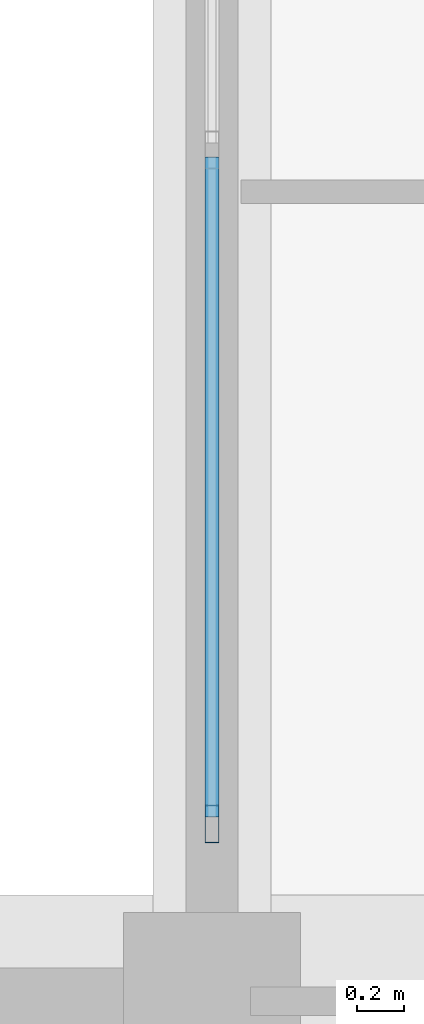
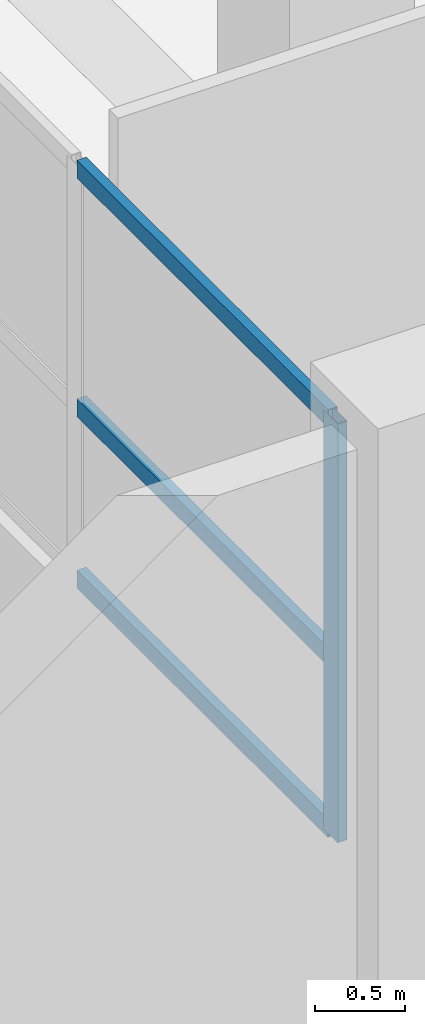
# One storey, part 8 of 140: 4 members, 1 element without a shape of its own.
"""IFC4 building model written with IfcOpenShell, lengths in metres."""

import ifcopenshell
import ifcopenshell.guid

model = None  # the IFC model being written
_history = None  # IfcOwnerHistory: only IFC2X3 demands one
_inside = {}  # id of a spatial element -> (the spatial element, [elements in it])
_under = {}  # id of a project, library or spatial element -> (it, [spatial elements below it])
_declared = {}  # id of a project -> (the project, [libraries it declares])
_typed = {}  # id of a type object -> (the type object, [elements of that type])
_made_of = {}  # id of a material, layer set ... -> (it, [elements and type objects made of it])


def new_model(schema):
    """Start an empty IFC model of exactly this schema.

    Asked for "IFC4X3", IfcOpenShell would pick the latest addendum, in which some entities
    have other attributes; the version numbers below select the first issue.
    IFC2X3 requires an IfcOwnerHistory on every rooted entity: one is made here for all.
    """
    global model, _history
    if schema == "IFC4X3":
        model = ifcopenshell.file(schema_version=(4, 3, 0, 0))
    else:
        model = ifcopenshell.file(schema=schema)
    _inside.clear()
    _under.clear()
    _declared.clear()
    _typed.clear()
    _made_of.clear()
    _history = None
    if model.schema == "IFC2X3":
        org = make("IfcOrganization", Name="unknown")
        user = make(
            "IfcPersonAndOrganization",
            ThePerson=make("IfcPerson", FamilyName="unknown"),
            TheOrganization=org,
        )
        app = make(
            "IfcApplication",
            ApplicationDeveloper=org,
            Version="unknown",
            ApplicationFullName="unknown",
            ApplicationIdentifier="unknown",
        )
        _history = make(
            "IfcOwnerHistory",
            OwningUser=user,
            OwningApplication=app,
            ChangeAction="ADDED",
            CreationDate=0,
        )
    return model


def make(cls, **values):
    """One entity of the class cls with the attributes given. An attribute that is None is left unset."""
    return model.create_entity(
        cls, **{name: value for name, value in values.items() if value is not None}
    )


def rooted(cls, **values):
    """An entity with a GlobalId (a new one), such as an element, a storey or a relation."""
    return make(cls, GlobalId=ifcopenshell.guid.new(), OwnerHistory=_history, **values)


def si_unit(unit_type, name, prefix=None):
    """IfcSIUnit, for example si_unit("LENGTHUNIT", "METRE", prefix="MILLI")."""
    return make("IfcSIUnit", UnitType=unit_type, Prefix=prefix, Name=name)


def assignment(units):
    """IfcUnitAssignment: the units of a project."""
    return None if units is None else make("IfcUnitAssignment", Units=units)


def point(xyz):
    """IfcCartesianPoint."""
    return None if xyz is None else make("IfcCartesianPoint", Coordinates=xyz)


def direction(xyz):
    """IfcDirection."""
    return None if xyz is None else make("IfcDirection", DirectionRatios=xyz)


def frame(location, z_axis=None, x_axis=None):
    """IfcAxis2Placement3D, a coordinate frame: its origin and axes. An axis left out is left unset."""
    return make(
        "IfcAxis2Placement3D",
        Location=point(location),
        Axis=direction(z_axis),
        RefDirection=direction(x_axis),
    )


def frame_2d(location, x_axis=None):
    """IfcAxis2Placement2D, a coordinate frame in the plane: its origin and x axis."""
    return make(
        "IfcAxis2Placement2D", Location=point(location), RefDirection=direction(x_axis)
    )


def origin():
    """The frame at (0, 0, 0) with its axes left unset."""
    return frame((0.0, 0.0, 0.0))


def origin_2d():
    """The frame at (0, 0) in the plane with its x axis left unset."""
    return frame_2d((0.0, 0.0))


def place(relative_to, where):
    """IfcLocalPlacement: puts the frame where relative to a parent placement (None: the world)."""
    return make(
        "IfcLocalPlacement", PlacementRelTo=relative_to, RelativePlacement=where
    )


def context(
    kind, dimensions, precision=None, world=None, true_north=None, identifier=None
):
    """IfcGeometricRepresentationContext, for example the 3D "Model" context."""
    return make(
        "IfcGeometricRepresentationContext",
        ContextIdentifier=identifier,
        ContextType=kind,
        CoordinateSpaceDimension=dimensions,
        Precision=precision,
        WorldCoordinateSystem=world,
        TrueNorth=true_north,
    )


def subcontext(parent, identifier, kind, view, scale=None):
    """IfcGeometricRepresentationSubContext, for example "Body" below "Model"."""
    return make(
        "IfcGeometricRepresentationSubContext",
        ContextIdentifier=identifier,
        ContextType=kind,
        ParentContext=parent,
        TargetScale=scale,
        TargetView=view,
    )


def project(units=None, contexts=None):
    """IfcProject with its units and contexts."""
    return rooted(
        "IfcProject",
        Name="project",
        RepresentationContexts=contexts,
        UnitsInContext=assignment(units),
    )


def spatial(cls, under=None, at=None, **own):
    """A site, building, storey or space (cls), placed at a placement, below another one or the project."""
    s = rooted(cls, ObjectPlacement=at, **own)
    if under is not None:
        _under.setdefault(under.id(), (under, []))[1].append(s)
    return s


def profile(cls, at=None, kind="AREA", **sizes):
    """A parametric profile (cls). Its sizes go by their IFC names, for example OverallWidth=200.0."""
    return make(cls, ProfileType=kind, Position=at, **sizes)


def hollow_rectangle(**sizes):
    """IfcRectangleHollowProfileDef."""
    return profile("IfcRectangleHollowProfileDef", **sizes)


def extrude(swept, where, along, depth):
    """IfcExtrudedAreaSolid: the profile swept, set in the frame where, extruded along a direction by depth."""
    return make(
        "IfcExtrudedAreaSolid",
        SweptArea=swept,
        Position=where,
        ExtrudedDirection=direction(along),
        Depth=depth,
    )


def shape(context_of_items, identifier, shape_type, items):
    """IfcShapeRepresentation: the items that make up one representation, for example the "Body"."""
    return make(
        "IfcShapeRepresentation",
        ContextOfItems=context_of_items,
        RepresentationIdentifier=identifier,
        RepresentationType=shape_type,
        Items=items,
    )


def material(Name=None, Category=None):
    """IfcMaterial."""
    return make("IfcMaterial", Name=Name, Category=Category)


def layer(
    of_material, thickness, ventilated=None, Name=None, Category=None, Priority=None
):
    """IfcMaterialLayer: one layer of a wall or slab, of a material (None: an air gap)."""
    return make(
        "IfcMaterialLayer",
        Material=of_material,
        LayerThickness=thickness,
        IsVentilated=ventilated,
        Name=Name,
        Category=Category,
        Priority=Priority,
    )


def layer_set(layers, Name=None):
    """IfcMaterialLayerSet."""
    return make("IfcMaterialLayerSet", MaterialLayers=layers, LayerSetName=Name)


def material_profile(
    of_material, cross_section, Name=None, Category=None, Priority=None
):
    """IfcMaterialProfile: a cross section and its material."""
    return make(
        "IfcMaterialProfile",
        Name=Name,
        Material=of_material,
        Profile=cross_section,
        Priority=Priority,
        Category=Category,
    )


def profile_set(profiles, Name=None, composite=None):
    """IfcMaterialProfileSet."""
    return make(
        "IfcMaterialProfileSet",
        Name=Name,
        MaterialProfiles=profiles,
        CompositeProfile=composite,
    )


def made_of(thing, what):
    """Note that an element or type object is made of a material, layer set ...; save() writes the relation."""
    if what is not None:
        _made_of.setdefault(what.id(), (what, []))[1].append(thing)
    return thing


def type_object(cls, material=None, **own):
    """A type object (cls), such as IfcWallType, which elements share."""
    return made_of(rooted(cls, **own), material)


def element(
    cls,
    number,
    at=None,
    inside=None,
    cuts=None,
    type_object=None,
    material=None,
    context=None,
    identifier="Body",
    shape_type=None,
    held_by="IfcProductDefinitionShape",
    body=None,
    shapes=None,
    **own,
):
    """One element of the class cls, such as IfcWall. Its Tag is "e" and its number.

    at: its placement. inside: the storey or other place that contains it. cuts: it is an
    opening in that element (IfcRelVoidsElement). A single representation is given by context,
    identifier, shape_type and body (its items); several are given by shapes. held_by: the class
    of the entity that holds the representations. save() writes the other relations.
    """
    e = rooted(cls, Tag="e%d" % number, ObjectPlacement=at, **own)
    if body is not None:
        shapes = [shape(context, identifier, shape_type, body)]
    if shapes is not None:
        e.Representation = make(held_by, Representations=shapes)
    if inside is not None:
        _inside.setdefault(inside.id(), (inside, []))[1].append(e)
    if cuts is not None:
        rooted(
            "IfcRelVoidsElement", RelatingBuildingElement=cuts, RelatedOpeningElement=e
        )
    if type_object is not None:
        _typed.setdefault(type_object.id(), (type_object, []))[1].append(e)
    return made_of(e, material)


def aggregate(whole, parts):
    """IfcRelAggregates: a whole, such as a stair, and the parts it consists of."""
    return rooted("IfcRelAggregates", RelatingObject=whole, RelatedObjects=parts)


def save(model, path):
    """Write the relations noted so far, then the file.

    IfcRelAggregates (storeys below a building ...), IfcRelContainedInSpatialStructure (elements
    in a storey), IfcRelDefinesByType, IfcRelAssociatesMaterial and IfcRelDeclares: one each for
    every whole, place, type object, material and project.
    """
    for whole, parts in _under.values():
        aggregate(whole, parts)
    for where, things in _inside.values():
        rooted(
            "IfcRelContainedInSpatialStructure",
            RelatedElements=things,
            RelatingStructure=where,
        )
    for kind, things in _typed.values():
        rooted("IfcRelDefinesByType", RelatedObjects=things, RelatingType=kind)
    for what, things in _made_of.values():
        rooted("IfcRelAssociatesMaterial", RelatedObjects=things, RelatingMaterial=what)
    for by, libraries in _declared.values():
        rooted("IfcRelDeclares", RelatingContext=by, RelatedDefinitions=libraries)
    model.write(path)


model = new_model("IFC4")

# Units and contexts
model_context = context("Model", 3, precision=1e-05, world=origin(), true_north=direction((0.0, 1.0)))
body_context = subcontext(model_context, "Body", "Model", "MODEL_VIEW")
ifc_project = project(units=[si_unit("LENGTHUNIT", "METRE"), si_unit("AREAUNIT", "SQUARE_METRE"), si_unit("VOLUMEUNIT", "CUBIC_METRE"), si_unit("PLANEANGLEUNIT", "RADIAN"), si_unit("MASSUNIT", "GRAM", prefix="KILO")], contexts=[model_context])

# Site, building, storey
site_placement = place(None, origin())
site = spatial("IfcSite", under=ifc_project, at=site_placement, CompositionType="ELEMENT")
building_placement = place(site_placement, origin())
building = spatial("IfcBuilding", under=site, at=building_placement, Name="Seraya Terrace Polytechnic", CompositionType="ELEMENT")
storey_placement = place(building_placement, frame((0.0, 0.0, 9.60009765625)))
storey = spatial("IfcBuildingStorey", under=building, at=storey_placement, Name="L02", CompositionType="ELEMENT", Elevation=9.60009765625)

# Curtain wall, members
ifc_material = material(Name="Anodised aluminium EN AW-6063 T6", Category="aluminium")
ifc_layer = layer(ifc_material, 0.179931640625, Name="CW-20")
ifc_layer_set = layer_set([ifc_layer], Name="Anodised aluminium EN AW-6063 T6")
curtain_wall_type = type_object("IfcCurtainWallType", Name="CW-20", PredefinedType="NOTDEFINED", material=ifc_layer_set)
curtain_wall_placement = place(storey_placement, origin())
curtain_wall = element("IfcCurtainWall", 1, at=curtain_wall_placement, inside=storey, type_object=curtain_wall_type, Name="Unitised curtain wall CW-20 (CW-L02-056)", PredefinedType="NOTDEFINED")
ifc_material_profile_1 = material_profile(ifc_material, hollow_rectangle(XDim=0.06005859375, YDim=0.159912109375, WallThickness=0.00341796875, at=origin_2d()), Name="RHS 160x60x3.5")
ifc_profile_set_1 = profile_set([ifc_material_profile_1], Name="Anodised aluminium EN AW-6063 T6")
member_type_1 = type_object("IfcMemberType", Name="CWM-02", PredefinedType="MULLION", material=ifc_profile_set_1)
member_1_placement = place(storey_placement, frame((10.800048828125, 29.550048828125, 1.239990234375), z_axis=(0.0, 0.0, 1.0), x_axis=(-1.0, 0.0, 0.0)))
member_1 = element("IfcMember", 2, at=member_1_placement, type_object=member_type_1, Name="CW-20 mullion 1", PredefinedType="MULLION", context=body_context, shape_type="SweptSolid", body=[
    extrude(hollow_rectangle(XDim=0.06005859375, YDim=0.159912109375, WallThickness=0.00341796875, at=origin_2d()), origin(), (0.0, 0.0, 1.0), 2.83984375),
])
ifc_material_profile_2 = material_profile(ifc_material, hollow_rectangle(XDim=0.06005859375, YDim=0.1201171875, WallThickness=0.003173828125, at=origin_2d()), Name="RHS 120x60x3.2")
ifc_profile_set_2 = profile_set([ifc_material_profile_2], Name="Anodised aluminium EN AW-6063 T6")
member_type_2 = type_object("IfcMemberType", Name="CWT-02", PredefinedType="USERDEFINED", material=ifc_profile_set_2)
member_2_placement = place(storey_placement, frame((10.800048828125, 29.580078125, 1.27001953125), z_axis=(0.0, 1.0, 0.0), x_axis=(-1.0, 0.0, 0.0)))
member_2 = element("IfcMember", 3, at=member_2_placement, type_object=member_type_2, Name="CW-20 transom 1.1", ObjectType="TRANSOM", PredefinedType="USERDEFINED", context=body_context, shape_type="SweptSolid", body=[
    extrude(hollow_rectangle(XDim=0.06005859375, YDim=0.1201171875, WallThickness=0.003173828125, at=origin_2d()), origin(), (0.0, 0.0, 1.0), 2.7900390625),
])
member_3_placement = place(storey_placement, frame((10.800048828125, 29.580078125, 2.4326171875), z_axis=(0.0, 1.0, 0.0), x_axis=(-1.0, 0.0, 0.0)))
member_3 = element("IfcMember", 4, at=member_3_placement, type_object=member_type_2, Name="CW-20 transom 1.2", ObjectType="TRANSOM", PredefinedType="USERDEFINED", context=body_context, shape_type="SweptSolid", body=[
    extrude(hollow_rectangle(XDim=0.06005859375, YDim=0.1201171875, WallThickness=0.003173828125, at=origin_2d()), origin(), (0.0, 0.0, 1.0), 2.7900390625),
])
member_4_placement = place(storey_placement, frame((10.800048828125, 29.580078125, 4.0498046875), z_axis=(0.0, 1.0, 0.0), x_axis=(-1.0, 0.0, 0.0)))
member_4 = element("IfcMember", 5, at=member_4_placement, type_object=member_type_2, Name="CW-20 transom 1.3", ObjectType="TRANSOM", PredefinedType="USERDEFINED", context=body_context, shape_type="SweptSolid", body=[
    extrude(hollow_rectangle(XDim=0.06005859375, YDim=0.1201171875, WallThickness=0.003173828125, at=origin_2d()), origin(), (0.0, 0.0, 1.0), 2.7900390625),
])
aggregate(curtain_wall, [member_1, member_2, member_3, member_4])

save(model, "model.ifc")
